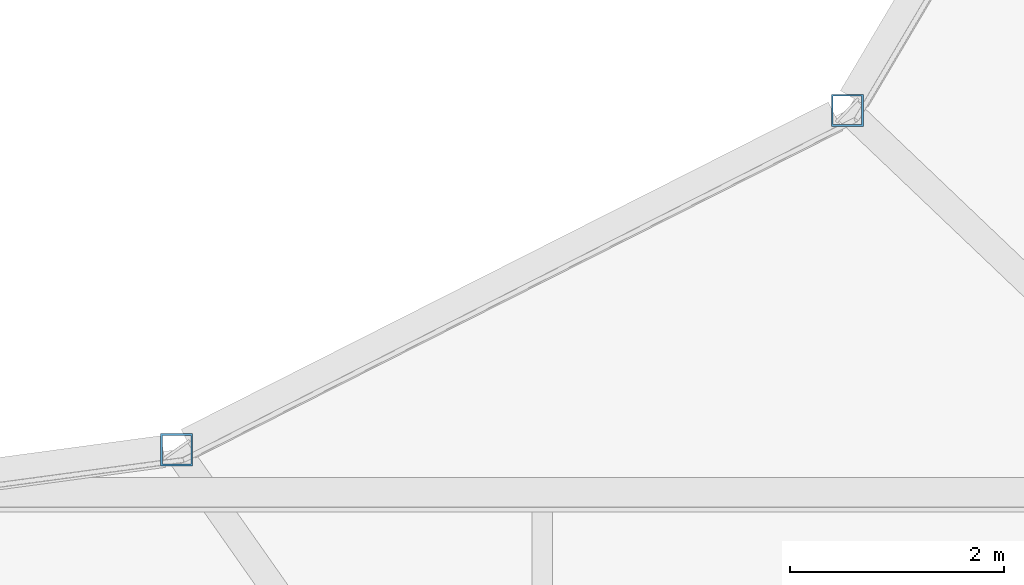
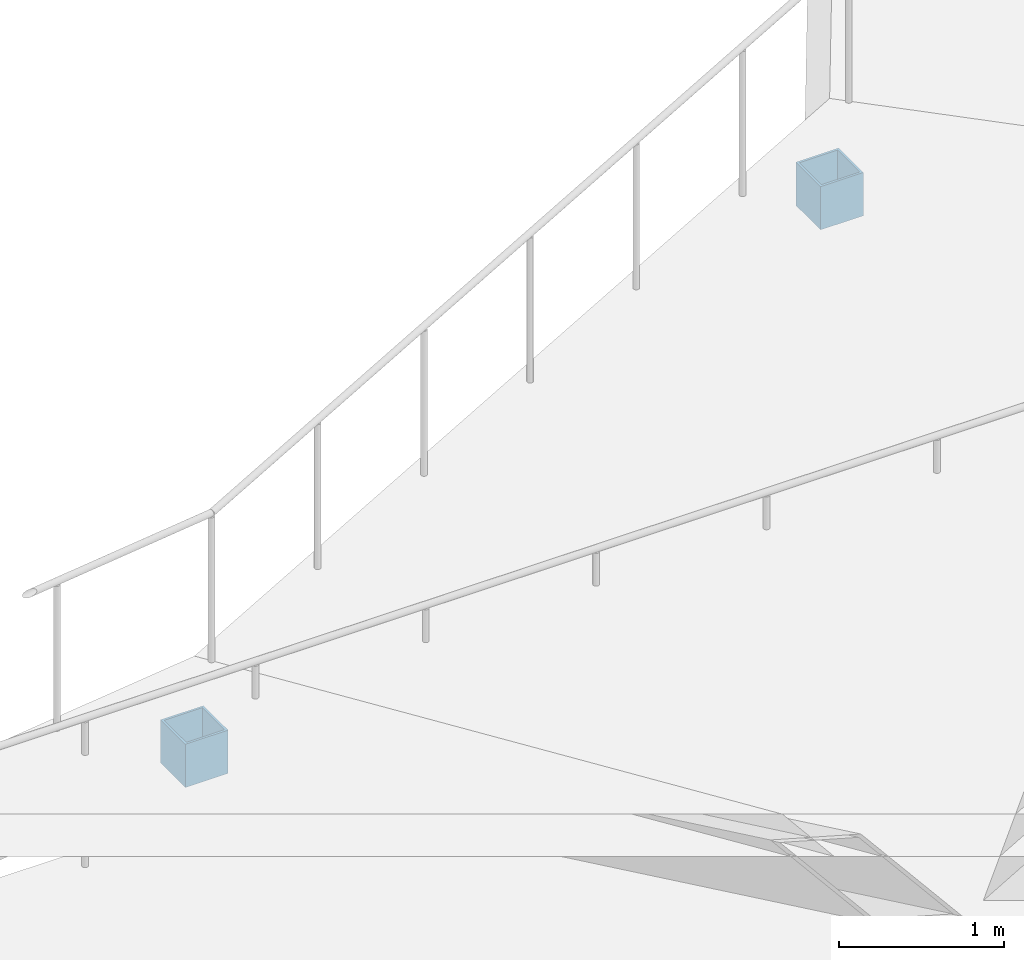
# One storey, part 17 of 77: 2 columns.
"""IFC4 building model written with IfcOpenShell, lengths in metres."""

from ifc_helpers import new_model, si_unit, direction, frame, origin, origin_2d, place, context, subcontext, project, spatial, hollow_rectangle, extrude, material, material_profile, profile_set, type_object, element, save


model = new_model("IFC4")

# Units and contexts
model_context = context("Model", 3, precision=1e-05, world=origin(), true_north=direction((0.0, 1.0)))
body_context = subcontext(model_context, "Body", "Model", "MODEL_VIEW")
ifc_project = project(units=[si_unit("LENGTHUNIT", "METRE"), si_unit("AREAUNIT", "SQUARE_METRE"), si_unit("VOLUMEUNIT", "CUBIC_METRE"), si_unit("PLANEANGLEUNIT", "RADIAN"), si_unit("MASSUNIT", "GRAM", prefix="KILO")], contexts=[model_context])

# Site, building, storey
site_placement = place(None, origin())
site = spatial("IfcSite", under=ifc_project, at=site_placement, CompositionType="ELEMENT")
building_placement = place(site_placement, origin())
building = spatial("IfcBuilding", under=site, at=building_placement, Name="Luwafu Chhajja Arena", CompositionType="ELEMENT")
storey_placement = place(building_placement, frame((0.0, 0.0, 14.699951171875)))
storey = spatial("IfcBuildingStorey", under=building, at=storey_placement, Name="L03", CompositionType="ELEMENT", Elevation=14.699951171875)

# Columns
ifc_material = material(Name="Steel S355", Category="steel")
ifc_material_profile = material_profile(ifc_material, hollow_rectangle(XDim=0.300048828125, YDim=0.300048828125, WallThickness=0.01611328125, at=origin_2d()), Name="SHS 300x300x16")
ifc_profile_set = profile_set([ifc_material_profile], Name="Steel S355")
column_type = type_object("IfcColumnType", Name="Steel Gallery Post SHS 300", PredefinedType="COLUMN", material=ifc_profile_set)
for number, where, z_axis, x_axis, name in (
    (1, (118.57666015625, 22.410888671875, 0.0), (0.0, 0.0, 1.0), (1.0, 0.0, 0.0), "L03 Upper Raker Front Post 28"),
    (2, (124.85986328125, 25.590087890625, 0.0), (0.0, 0.0, 1.0), (1.0, 0.0, 0.0), "L03 Upper Raker Front Post 29"),
):
    element("IfcColumn", number, at=place(storey_placement, frame(where, z_axis=z_axis, x_axis=x_axis)), inside=storey, type_object=column_type, Name=name, PredefinedType="COLUMN", context=body_context, shape_type="SweptSolid", body=[
        extrude(hollow_rectangle(XDim=0.300048828125, YDim=0.300048828125, WallThickness=0.01611328125, at=origin_2d()), origin(), (0.0, 0.0, 1.0), 0.320068359375),
    ])

save(model, "model.ifc")
